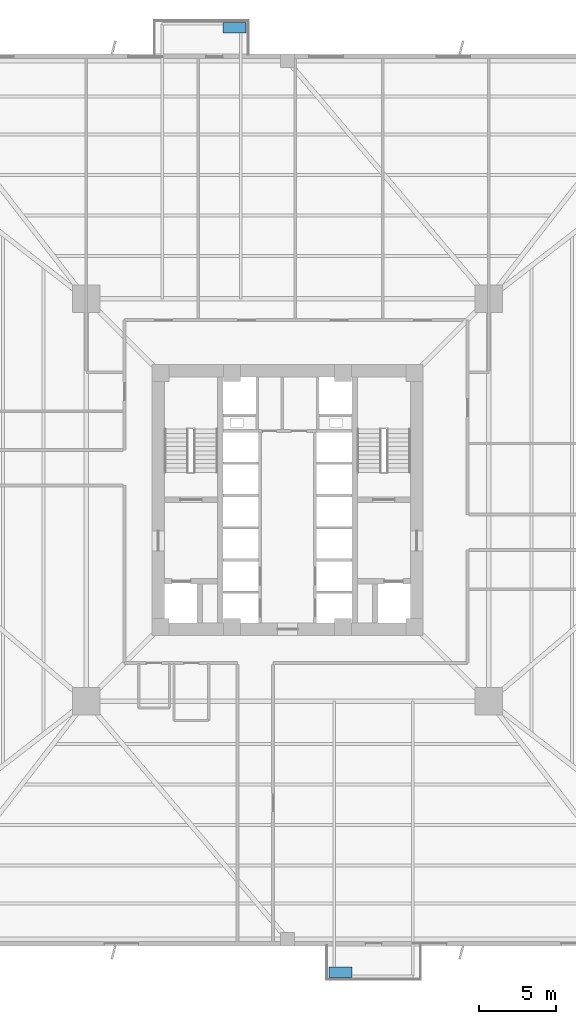
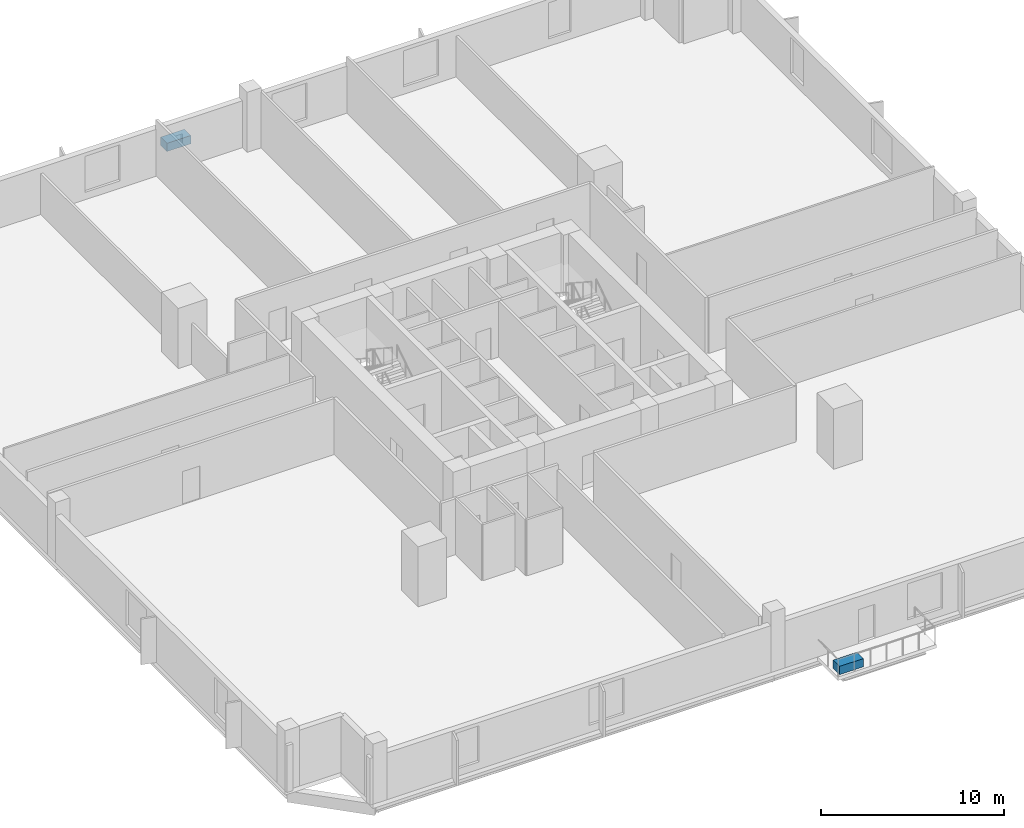
# One storey, part 5 of 8: 2 discrete accessories.
"""IFC4 building model written with IfcOpenShell, lengths in metres."""

from ifc_helpers import new_model, si_unit, direction, frame, origin, origin_2d, place, context, subcontext, project, spatial, rectangle, extrude, source, transform, mapped, material, type_object, element, save


model = new_model("IFC4")

# Units and contexts
model_context = context("Model", 3, precision=1e-05, world=origin(), true_north=direction((0.0, 1.0)))
body_context = subcontext(model_context, "Body", "Model", "MODEL_VIEW")
ifc_project = project(units=[si_unit("LENGTHUNIT", "METRE"), si_unit("AREAUNIT", "SQUARE_METRE"), si_unit("VOLUMEUNIT", "CUBIC_METRE"), si_unit("PLANEANGLEUNIT", "RADIAN"), si_unit("MASSUNIT", "GRAM", prefix="KILO"), si_unit("THERMODYNAMICTEMPERATUREUNIT", "KELVIN")], contexts=[model_context])

# Site, building, storey
site_placement = place(None, origin())
site = spatial("IfcSite", under=ifc_project, at=site_placement, CompositionType="ELEMENT")
building_placement = place(site_placement, origin())
building = spatial("IfcBuilding", under=site, at=building_placement, Name="Kosmvard Interchange Tower", CompositionType="ELEMENT")
storey_placement = place(building_placement, frame((0.0, 0.0, 38.0)))
storey = spatial("IfcBuildingStorey", under=building, at=storey_placement, Name="L08", CompositionType="ELEMENT", Elevation=38.0)

# Discrete accessories
ifc_material = material(Name="Terracotta precast planter concrete C45/55", Category="masonry")
discrete_accessory_type = type_object("IfcDiscreteAccessoryType", Name="Precast Tree-Balcony & Terrace Planter Box", PredefinedType="USERDEFINED", material=ifc_material)
shared_shape = source(origin(), body_context, "Body", "SweptSolid", [
    extrude(rectangle(XDim=1.5, YDim=0.699951171875, at=origin_2d()), origin(), (0.0, 0.0, 1.0), 0.550048828125),
])
for number, where, z_axis, x_axis, name in (
    (1, (3.449951171875, -30.699951171875, 0.0), (0.0, 0.0, 1.0), (1.0, 0.0, 0.0), "L08 Balcony Tree Planter BAL-L08-SW"),
    (2, (-3.449951171875, 30.699951171875, 0.0), (0.0, 0.0, 1.0), (1.0, 0.0, 0.0), "L08 Balcony Tree Planter BAL-L08-NE"),
):
    element("IfcDiscreteAccessory", number, at=place(storey_placement, frame(where, z_axis=z_axis, x_axis=x_axis)), inside=storey, type_object=discrete_accessory_type, Name=name, ObjectType="PLANTER", PredefinedType="USERDEFINED", context=body_context, shape_type="MappedRepresentation", body=[
        mapped(shared_shape, transform((0.0, 0.0, 0.0), scale=1.0)),
    ])

save(model, "model.ifc")
